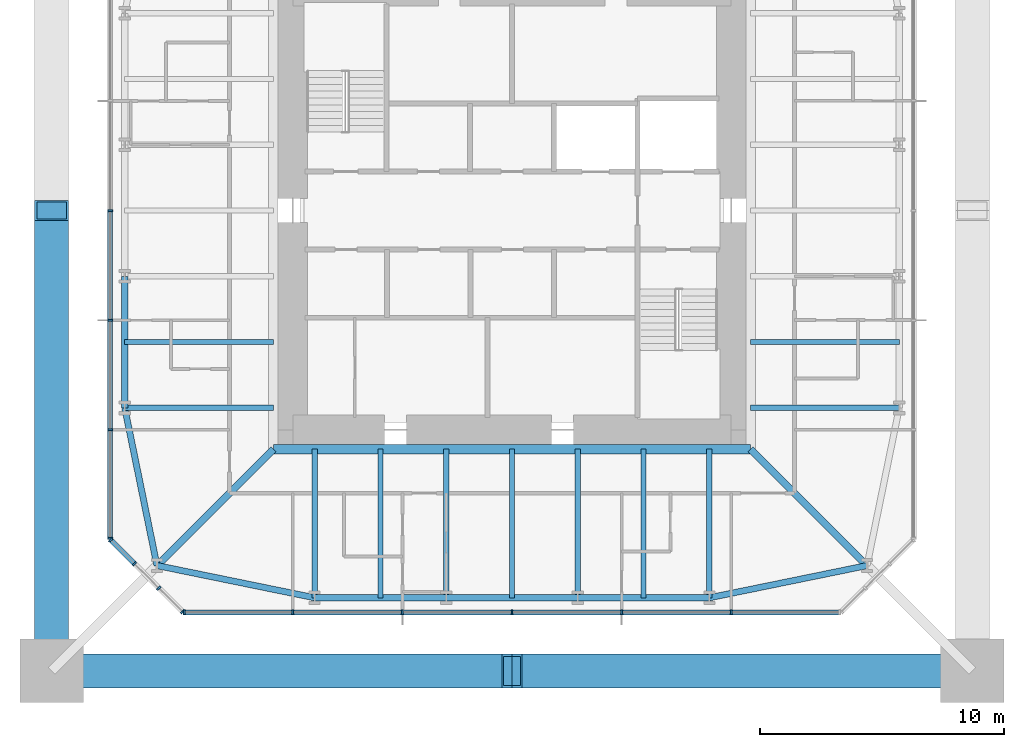
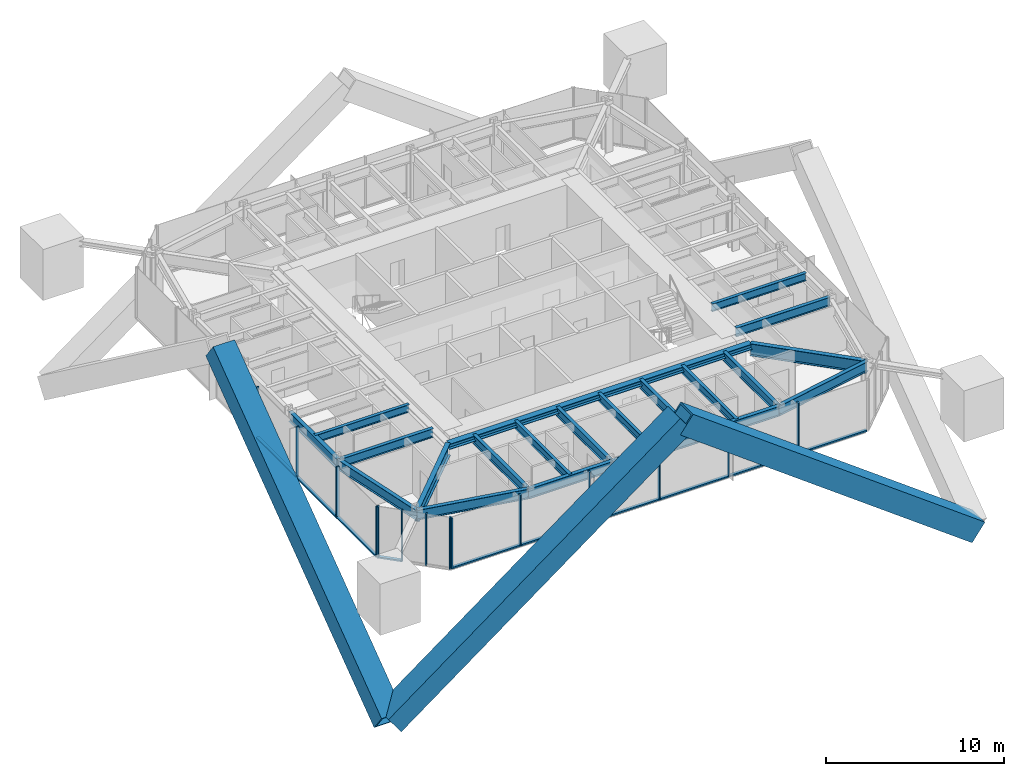
# One storey, part 2 of 10: 27 members, 21 beams, 3 elements without a shape of their own.
"""IFC4 building model written with IfcOpenShell, lengths in metres."""

from ifc_helpers import new_model, si_unit, direction, frame, origin, origin_2d, place, context, subcontext, project, spatial, rectangle, hollow_rectangle, i_section, extrude, material, material_profile, profile_set, type_object, element, aggregate, save


model = new_model("IFC4")

# Units and contexts
model_context = context("Model", 3, precision=1e-05, world=origin(), true_north=direction((0.0, 1.0)))
body_context = subcontext(model_context, "Body", "Model", "MODEL_VIEW")
ifc_project = project(units=[si_unit("LENGTHUNIT", "METRE"), si_unit("AREAUNIT", "SQUARE_METRE"), si_unit("VOLUMEUNIT", "CUBIC_METRE"), si_unit("PLANEANGLEUNIT", "RADIAN"), si_unit("MASSUNIT", "GRAM", prefix="KILO")], contexts=[model_context])

# Site, building, storey
site_placement = place(None, origin())
site = spatial("IfcSite", under=ifc_project, at=site_placement, CompositionType="ELEMENT")
building_placement = place(site_placement, origin())
building = spatial("IfcBuilding", under=site, at=building_placement, Name="Iwan Alto Co-Living Towers", CompositionType="ELEMENT")
storey_placement = place(building_placement, frame((0.0, 0.0, 246.5)))
storey = spatial("IfcBuildingStorey", under=building, at=storey_placement, Name="L67", CompositionType="ELEMENT", Elevation=246.5)

# Curtain wall, members
ifc_material_1 = material(Name="Bronze aluminium unitised frame", Category="aluminium")
curtain_wall_type_1 = type_object("IfcCurtainWallType", Name="CURTAIN WALL CW-A", PredefinedType="NOTDEFINED", material=ifc_material_1)
curtain_wall_1_placement = place(storey_placement, origin())
curtain_wall_1 = element("IfcCurtainWall", 1, at=curtain_wall_1_placement, inside=storey, type_object=curtain_wall_type_1, Name="T1 curtain wall S L67", PredefinedType="NOTDEFINED")
ifc_material_2 = material(Name="Aluminium 6063-T6 bronze anodised", Category="aluminium")
ifc_material_profile_1 = material_profile(ifc_material_2, rectangle(XDim=0.199951171875, YDim=0.080078125, at=origin_2d()), Name="AL 80X200")
ifc_profile_set_1 = profile_set([ifc_material_profile_1], Name="Aluminium 6063-T6 bronze anodised")
member_type_1 = type_object("IfcMemberType", Name="CW-A MULLION 80X200", PredefinedType="MULLION", material=ifc_profile_set_1)
member_1_placement = place(storey_placement, frame((-13.4599609375, -16.5, 0.0), z_axis=(0.0, 0.0, 1.0), x_axis=(0.0, 1.0, 0.0)))
member_1 = element("IfcMember", 2, at=member_1_placement, type_object=member_type_1, Name="CW-A mullion 1", PredefinedType="MULLION", context=body_context, shape_type="SweptSolid", body=[
    extrude(rectangle(XDim=0.199951171875, YDim=0.080078125, at=origin_2d()), origin(), (0.0, 0.0, 1.0), 3.5),
])
member_2_placement = place(storey_placement, frame((-9.0, -16.5, 0.0), z_axis=(0.0, 0.0, 1.0), x_axis=(0.0, 1.0, 0.0)))
member_2 = element("IfcMember", 3, at=member_2_placement, type_object=member_type_1, Name="CW-A mullion 2", PredefinedType="MULLION", context=body_context, shape_type="SweptSolid", body=[
    extrude(rectangle(XDim=0.199951171875, YDim=0.080078125, at=origin_2d()), origin(), (0.0, 0.0, 1.0), 3.5),
])
member_3_placement = place(storey_placement, frame((-4.5, -16.5, 0.0), z_axis=(0.0, 0.0, 1.0), x_axis=(0.0, 1.0, 0.0)))
member_3 = element("IfcMember", 4, at=member_3_placement, type_object=member_type_1, Name="CW-A mullion 3", PredefinedType="MULLION", context=body_context, shape_type="SweptSolid", body=[
    extrude(rectangle(XDim=0.199951171875, YDim=0.080078125, at=origin_2d()), origin(), (0.0, 0.0, 1.0), 3.5),
])
member_4_placement = place(storey_placement, frame((0.0, -16.5, 0.0), z_axis=(0.0, 0.0, 1.0), x_axis=(0.0, 1.0, 0.0)))
member_4 = element("IfcMember", 5, at=member_4_placement, type_object=member_type_1, Name="CW-A mullion 4", PredefinedType="MULLION", context=body_context, shape_type="SweptSolid", body=[
    extrude(rectangle(XDim=0.199951171875, YDim=0.080078125, at=origin_2d()), origin(), (0.0, 0.0, 1.0), 3.5),
])
member_5_placement = place(storey_placement, frame((4.5, -16.5, 0.0), z_axis=(0.0, 0.0, 1.0), x_axis=(0.0, 1.0, 0.0)))
member_5 = element("IfcMember", 6, at=member_5_placement, type_object=member_type_1, Name="CW-A mullion 5", PredefinedType="MULLION", context=body_context, shape_type="SweptSolid", body=[
    extrude(rectangle(XDim=0.199951171875, YDim=0.080078125, at=origin_2d()), origin(), (0.0, 0.0, 1.0), 3.5),
])
member_6_placement = place(storey_placement, frame((9.0, -16.5, 0.0), z_axis=(0.0, 0.0, 1.0), x_axis=(0.0, 1.0, 0.0)))
member_6 = element("IfcMember", 7, at=member_6_placement, type_object=member_type_1, Name="CW-A mullion 6", PredefinedType="MULLION", context=body_context, shape_type="SweptSolid", body=[
    extrude(rectangle(XDim=0.199951171875, YDim=0.080078125, at=origin_2d()), origin(), (0.0, 0.0, 1.0), 3.5),
])

curtain_wall_2_placement = place(storey_placement, origin())
curtain_wall_2 = element("IfcCurtainWall", 8, at=curtain_wall_2_placement, inside=storey, type_object=curtain_wall_type_1, Name="T1 curtain wall W L67", PredefinedType="NOTDEFINED")
member_7_placement = place(storey_placement, frame((-16.5, 0.0, 0.0), z_axis=(0.0, 0.0, 1.0), x_axis=(1.0, 0.0, 0.0)))
member_7 = element("IfcMember", 9, at=member_7_placement, type_object=member_type_1, Name="CW-A mullion 4", PredefinedType="MULLION", context=body_context, shape_type="SweptSolid", body=[
    extrude(rectangle(XDim=0.199951171875, YDim=0.080078125, at=origin_2d()), origin(), (0.0, 0.0, 1.0), 3.5),
])
member_8_placement = place(storey_placement, frame((-16.5, -4.5, 0.0), z_axis=(0.0, 0.0, 1.0), x_axis=(1.0, 0.0, 0.0)))
member_8 = element("IfcMember", 10, at=member_8_placement, type_object=member_type_1, Name="CW-A mullion 5", PredefinedType="MULLION", context=body_context, shape_type="SweptSolid", body=[
    extrude(rectangle(XDim=0.199951171875, YDim=0.080078125, at=origin_2d()), origin(), (0.0, 0.0, 1.0), 3.5),
])
member_9_placement = place(storey_placement, frame((-16.5, -9.0, 0.0), z_axis=(0.0, 0.0, 1.0), x_axis=(1.0, 0.0, 0.0)))
member_9 = element("IfcMember", 11, at=member_9_placement, type_object=member_type_1, Name="CW-A mullion 6", PredefinedType="MULLION", context=body_context, shape_type="SweptSolid", body=[
    extrude(rectangle(XDim=0.199951171875, YDim=0.080078125, at=origin_2d()), origin(), (0.0, 0.0, 1.0), 3.5),
])
member_10_placement = place(storey_placement, frame((-16.5, -13.4599609375, 0.0), z_axis=(0.0, 0.0, 1.0), x_axis=(1.0, 0.0, 0.0)))
member_10 = element("IfcMember", 12, at=member_10_placement, type_object=member_type_1, Name="CW-A mullion 7", PredefinedType="MULLION", context=body_context, shape_type="SweptSolid", body=[
    extrude(rectangle(XDim=0.199951171875, YDim=0.080078125, at=origin_2d()), origin(), (0.0, 0.0, 1.0), 3.5),
])

# Member
ifc_material_3 = material(Name="Aluminium 6063-T6 bronze anodised", Category="aluminium")
ifc_material_profile_2 = material_profile(ifc_material_3, rectangle(XDim=0.199951171875, YDim=0.10009765625, at=origin_2d()), Name="AL 200X100")
ifc_profile_set_2 = profile_set([ifc_material_profile_2], Name="Aluminium 6063-T6 bronze anodised")
member_type_2 = type_object("IfcMemberType", Name="CW-A TRANSOM 200X100", PredefinedType="USERDEFINED", material=ifc_profile_set_2)
member_11_placement = place(storey_placement, frame((-13.419921875, -16.5, 0.050048828125), z_axis=(1.0, 0.0, 0.0), x_axis=(0.0, 1.0, 0.0)))
member_11 = element("IfcMember", 13, at=member_11_placement, type_object=member_type_2, Name="CW-A transom 1.1", ObjectType="TRANSOM", PredefinedType="USERDEFINED", context=body_context, shape_type="SweptSolid", body=[
    extrude(rectangle(XDim=0.199951171875, YDim=0.10009765625, at=origin_2d()), origin(), (0.0, 0.0, 1.0), 4.3798828125),
])

member_12_placement = place(storey_placement, frame((-8.9599609375, -16.5, 0.050048828125), z_axis=(1.0, 0.0, 0.0), x_axis=(0.0, 1.0, 0.0)))
member_12 = element("IfcMember", 14, at=member_12_placement, type_object=member_type_2, Name="CW-A transom 2.1", ObjectType="TRANSOM", PredefinedType="USERDEFINED", context=body_context, shape_type="SweptSolid", body=[
    extrude(rectangle(XDim=0.199951171875, YDim=0.10009765625, at=origin_2d()), origin(), (0.0, 0.0, 1.0), 4.419921875),
])

member_13_placement = place(storey_placement, frame((-4.4599609375, -16.5, 0.050048828125), z_axis=(1.0, 0.0, 0.0), x_axis=(0.0, 1.0, 0.0)))
member_13 = element("IfcMember", 15, at=member_13_placement, type_object=member_type_2, Name="CW-A transom 3.1", ObjectType="TRANSOM", PredefinedType="USERDEFINED", context=body_context, shape_type="SweptSolid", body=[
    extrude(rectangle(XDim=0.199951171875, YDim=0.10009765625, at=origin_2d()), origin(), (0.0, 0.0, 1.0), 4.419921875),
])

member_14_placement = place(storey_placement, frame((0.0400390625, -16.5, 0.050048828125), z_axis=(1.0, 0.0, 0.0), x_axis=(0.0, 1.0, 0.0)))
member_14 = element("IfcMember", 16, at=member_14_placement, type_object=member_type_2, Name="CW-A transom 4.1", ObjectType="TRANSOM", PredefinedType="USERDEFINED", context=body_context, shape_type="SweptSolid", body=[
    extrude(rectangle(XDim=0.199951171875, YDim=0.10009765625, at=origin_2d()), origin(), (0.0, 0.0, 1.0), 4.419921875),
])

member_15_placement = place(storey_placement, frame((4.5400390625, -16.5, 0.050048828125), z_axis=(1.0, 0.0, 0.0), x_axis=(0.0, 1.0, 0.0)))
member_15 = element("IfcMember", 17, at=member_15_placement, type_object=member_type_2, Name="CW-A transom 5.1", ObjectType="TRANSOM", PredefinedType="USERDEFINED", context=body_context, shape_type="SweptSolid", body=[
    extrude(rectangle(XDim=0.199951171875, YDim=0.10009765625, at=origin_2d()), origin(), (0.0, 0.0, 1.0), 4.419921875),
])

member_16_placement = place(storey_placement, frame((9.0400390625, -16.5, 0.050048828125), z_axis=(1.0, 0.0, 0.0), x_axis=(0.0, 1.0, 0.0)))
member_16 = element("IfcMember", 18, at=member_16_placement, type_object=member_type_2, Name="CW-A transom 6.1", ObjectType="TRANSOM", PredefinedType="USERDEFINED", context=body_context, shape_type="SweptSolid", body=[
    extrude(rectangle(XDim=0.199951171875, YDim=0.10009765625, at=origin_2d()), origin(), (0.0, 0.0, 1.0), 4.3798828125),
])

aggregate(curtain_wall_1, [member_1, member_2, member_3, member_4, member_5, member_6, member_11, member_12, member_13, member_14, member_15, member_16])

member_17_placement = place(storey_placement, frame((-16.5, -0.0400390625, 0.050048828125), z_axis=(0.0, -1.0, 0.0), x_axis=(1.0, 0.0, 0.0)))
member_17 = element("IfcMember", 19, at=member_17_placement, type_object=member_type_2, Name="CW-A transom 4.1", ObjectType="TRANSOM", PredefinedType="USERDEFINED", context=body_context, shape_type="SweptSolid", body=[
    extrude(rectangle(XDim=0.199951171875, YDim=0.10009765625, at=origin_2d()), origin(), (0.0, 0.0, 1.0), 4.419921875),
])

member_18_placement = place(storey_placement, frame((-16.5, -4.5400390625, 0.050048828125), z_axis=(0.0, -1.0, 0.0), x_axis=(1.0, 0.0, 0.0)))
member_18 = element("IfcMember", 20, at=member_18_placement, type_object=member_type_2, Name="CW-A transom 5.1", ObjectType="TRANSOM", PredefinedType="USERDEFINED", context=body_context, shape_type="SweptSolid", body=[
    extrude(rectangle(XDim=0.199951171875, YDim=0.10009765625, at=origin_2d()), origin(), (0.0, 0.0, 1.0), 4.419921875),
])

member_19_placement = place(storey_placement, frame((-16.5, -9.0400390625, 0.050048828125), z_axis=(0.0, -1.0, 0.0), x_axis=(1.0, 0.0, 0.0)))
member_19 = element("IfcMember", 21, at=member_19_placement, type_object=member_type_2, Name="CW-A transom 6.1", ObjectType="TRANSOM", PredefinedType="USERDEFINED", context=body_context, shape_type="SweptSolid", body=[
    extrude(rectangle(XDim=0.199951171875, YDim=0.10009765625, at=origin_2d()), origin(), (0.0, 0.0, 1.0), 4.3798828125),
])

aggregate(curtain_wall_2, [member_7, member_8, member_9, member_10, member_17, member_18, member_19])

# Curtain wall, members
ifc_material_4 = material(Name="Bronze aluminium unitised frame", Category="aluminium")
curtain_wall_type_2 = type_object("IfcCurtainWallType", Name="CURTAIN WALL CW-B", PredefinedType="NOTDEFINED", material=ifc_material_4)
curtain_wall_3_placement = place(storey_placement, origin())
curtain_wall_3 = element("IfcCurtainWall", 22, at=curtain_wall_3_placement, inside=storey, type_object=curtain_wall_type_2, Name="T1 chamfer curtain wall SW L67", PredefinedType="NOTDEFINED")
ifc_material_5 = material(Name="Aluminium 6063-T6 bronze anodised", Category="aluminium")
ifc_material_profile_3 = material_profile(ifc_material_5, rectangle(XDim=0.199951171875, YDim=0.080078125, at=origin_2d()), Name="AL 80X200")
ifc_profile_set_3 = profile_set([ifc_material_profile_3], Name="Aluminium 6063-T6 bronze anodised")
member_type_3 = type_object("IfcMemberType", Name="CW-B MULLION 80X200", PredefinedType="MULLION", material=ifc_profile_set_3)
member_20_placement = place(storey_placement, frame((-16.4716796875, -13.5283203125, 0.0), z_axis=(0.0, 0.0, 1.0), x_axis=(0.707106781187, 0.707106781187, 0.0)))
member_20 = element("IfcMember", 23, at=member_20_placement, type_object=member_type_3, Name="CW-B mullion 1", PredefinedType="MULLION", context=body_context, shape_type="SweptSolid", body=[
    extrude(rectangle(XDim=0.199951171875, YDim=0.080078125, at=origin_2d()), origin(), (0.0, 0.0, 1.0), 3.5),
])
member_21_placement = place(storey_placement, frame((-15.5, -14.5, 0.0), z_axis=(0.0, 0.0, 1.0), x_axis=(0.707106781187, 0.707106781187, 0.0)))
member_21 = element("IfcMember", 24, at=member_21_placement, type_object=member_type_3, Name="CW-B mullion 2", PredefinedType="MULLION", context=body_context, shape_type="SweptSolid", body=[
    extrude(rectangle(XDim=0.199951171875, YDim=0.080078125, at=origin_2d()), origin(), (0.0, 0.0, 1.0), 3.5),
])
member_22_placement = place(storey_placement, frame((-14.5, -15.5, 0.0), z_axis=(0.0, 0.0, 1.0), x_axis=(0.707106781187, 0.707106781187, 0.0)))
member_22 = element("IfcMember", 25, at=member_22_placement, type_object=member_type_3, Name="CW-B mullion 3", PredefinedType="MULLION", context=body_context, shape_type="SweptSolid", body=[
    extrude(rectangle(XDim=0.199951171875, YDim=0.080078125, at=origin_2d()), origin(), (0.0, 0.0, 1.0), 3.5),
])
member_23_placement = place(storey_placement, frame((-13.5283203125, -16.4716796875, 0.0), z_axis=(0.0, 0.0, 1.0), x_axis=(0.707106781187, 0.707106781187, 0.0)))
member_23 = element("IfcMember", 26, at=member_23_placement, type_object=member_type_3, Name="CW-B mullion 4", PredefinedType="MULLION", context=body_context, shape_type="SweptSolid", body=[
    extrude(rectangle(XDim=0.199951171875, YDim=0.080078125, at=origin_2d()), origin(), (0.0, 0.0, 1.0), 3.5),
])
ifc_material_6 = material(Name="Aluminium 6063-T6 bronze anodised", Category="aluminium")
ifc_material_profile_4 = material_profile(ifc_material_6, rectangle(XDim=0.199951171875, YDim=0.10009765625, at=origin_2d()), Name="AL 200X100")
ifc_profile_set_4 = profile_set([ifc_material_profile_4], Name="Aluminium 6063-T6 bronze anodised")
member_type_4 = type_object("IfcMemberType", Name="CW-B TRANSOM 200X100", PredefinedType="USERDEFINED", material=ifc_profile_set_4)
member_24_placement = place(storey_placement, frame((-16.443359375, -13.556640625, 0.050048828125), z_axis=(0.707106781187, -0.707106781187, 0.0), x_axis=(0.707106781187, 0.707106781187, 0.0)))
member_24 = element("IfcMember", 27, at=member_24_placement, type_object=member_type_4, Name="CW-B transom 1.1", ObjectType="TRANSOM", PredefinedType="USERDEFINED", context=body_context, shape_type="SweptSolid", body=[
    extrude(rectangle(XDim=0.199951171875, YDim=0.10009765625, at=origin_2d()), origin(), (0.0, 0.0, 1.0), 1.2939453125),
])
aggregate(curtain_wall_3, [member_20, member_21, member_22, member_23, member_24])

# Beams
ifc_material_7 = material(Name="Steel ASTM A992 Gr 50", Category="steel")
ifc_material_profile_5 = material_profile(ifc_material_7, i_section(OverallWidth=0.398681640625, OverallDepth=0.385986328125, WebThickness=0.02099609375, FlangeThickness=0.033203125, at=origin_2d()), Name="W14X176")
ifc_profile_set_5 = profile_set([ifc_material_profile_5], Name="Steel ASTM A992 Gr 50")
beam_type_1 = type_object("IfcBeamType", Name="T1 CORE LEDGER BEAM W14X176", PredefinedType="BEAM", material=ifc_profile_set_5)
beam_1_placement = place(storey_placement, frame((-9.79931640625, -9.79931640625, 3.076904296875), z_axis=(1.0, 0.0, 0.0), x_axis=(0.0, 1.0, 0.0)))
element("IfcBeam", 28, at=beam_1_placement, inside=storey, type_object=beam_type_1, Name="T1 core ledger beam S L68", PredefinedType="BEAM", context=body_context, shape_type="SweptSolid", body=[
    extrude(i_section(OverallWidth=0.398681640625, OverallDepth=0.385986328125, WebThickness=0.02099609375, FlangeThickness=0.033203125, at=origin_2d()), origin(), (0.0, 0.0, 1.0), 19.5986328125),
])
ifc_material_8 = material(Name="Steel ASTM A992 Gr 50", Category="steel")
ifc_material_profile_6 = material_profile(ifc_material_8, i_section(OverallWidth=0.2919921875, OverallDepth=0.8408203125, WebThickness=0.0146484375, FlangeThickness=0.021728515625, at=origin_2d()), Name="W33X130")
ifc_profile_set_6 = profile_set([ifc_material_profile_6], Name="Steel ASTM A992 Gr 50")
beam_type_2 = type_object("IfcBeamType", Name="T1 CORNER GIRDER W33X130", PredefinedType="BEAM", material=ifc_profile_set_6)
for number, where, z_axis, x_axis, name in (
    (29, (-14.57568359375, -14.57568359375, 2.849609375), (0.707106781187, 0.707106781187, 0.0), (-0.707106781187, 0.707106781187, 0.0), "T1 corner girder CSW L68"),
    (30, (14.57568359375, -14.57568359375, 2.849609375), (-0.707106781187, 0.707106781187, 0.0), (-0.707106781187, -0.707106781187, 0.0), "T1 corner girder CSE L68"),
):
    element("IfcBeam", number, at=place(storey_placement, frame(where, z_axis=z_axis, x_axis=x_axis)), inside=storey, type_object=beam_type_2, Name=name, PredefinedType="BEAM", context=body_context, shape_type="SweptSolid", body=[
        extrude(i_section(OverallWidth=0.2919921875, OverallDepth=0.8408203125, WebThickness=0.0146484375, FlangeThickness=0.021728515625, at=origin_2d()), origin(), (0.0, 0.0, 1.0), 6.7548828125),
    ])
ifc_material_9 = material(Name="Steel ASTM A992 Gr 50", Category="steel")
ifc_material_profile_7 = material_profile(ifc_material_9, i_section(OverallWidth=0.25390625, OverallDepth=0.683349609375, WebThickness=0.012451171875, FlangeThickness=0.018798828125, at=origin_2d()), Name="W27X94")
ifc_profile_set_7 = profile_set([ifc_material_profile_7], Name="Steel ASTM A992 Gr 50")
beam_type_3 = type_object("IfcBeamType", Name="T1 EDGE BEAM W27X94", PredefinedType="BEAM", material=ifc_profile_set_7)
beam_2_placement = place(storey_placement, frame((-14.57568359375, -14.57568359375, 2.928466796875), z_axis=(0.979724820103, -0.200347889618, 0.0), x_axis=(0.200347889618, 0.979724820103, 0.0)))
element("IfcBeam", 31, at=beam_2_placement, inside=storey, type_object=beam_type_3, Name="T1 edge beam CSW L68", PredefinedType="BEAM", context=body_context, shape_type="SweptSolid", body=[
    extrude(i_section(OverallWidth=0.25390625, OverallDepth=0.683349609375, WebThickness=0.012451171875, FlangeThickness=0.018798828125, at=origin_2d()), origin(), (0.0, 0.0, 1.0), 6.609619140625),
])
beam_3_placement = place(storey_placement, frame((-8.10009765625, -15.89990234375, 2.928466796875), z_axis=(1.0, 0.0, 0.0), x_axis=(0.0, 1.0, 0.0)))
element("IfcBeam", 32, at=beam_3_placement, inside=storey, type_object=beam_type_3, Name="T1 edge beam S1 L68", PredefinedType="BEAM", context=body_context, shape_type="SweptSolid", body=[
    extrude(i_section(OverallWidth=0.25390625, OverallDepth=0.683349609375, WebThickness=0.012451171875, FlangeThickness=0.018798828125, at=origin_2d()), origin(), (0.0, 0.0, 1.0), 5.400146484375),
])
beam_4_placement = place(storey_placement, frame((-2.699951171875, -15.89990234375, 2.928466796875), z_axis=(1.0, 0.0, 0.0), x_axis=(0.0, 1.0, 0.0)))
element("IfcBeam", 33, at=beam_4_placement, inside=storey, type_object=beam_type_3, Name="T1 edge beam S2 L68", PredefinedType="BEAM", context=body_context, shape_type="SweptSolid", body=[
    extrude(i_section(OverallWidth=0.25390625, OverallDepth=0.683349609375, WebThickness=0.012451171875, FlangeThickness=0.018798828125, at=origin_2d()), origin(), (0.0, 0.0, 1.0), 5.39990234375),
])
beam_5_placement = place(storey_placement, frame((2.699951171875, -15.89990234375, 2.928466796875), z_axis=(1.0, 0.0, 0.0), x_axis=(0.0, 1.0, 0.0)))
element("IfcBeam", 34, at=beam_5_placement, inside=storey, type_object=beam_type_3, Name="T1 edge beam S3 L68", PredefinedType="BEAM", context=body_context, shape_type="SweptSolid", body=[
    extrude(i_section(OverallWidth=0.25390625, OverallDepth=0.683349609375, WebThickness=0.012451171875, FlangeThickness=0.018798828125, at=origin_2d()), origin(), (0.0, 0.0, 1.0), 5.400146484375),
])
beam_6_placement = place(storey_placement, frame((8.10009765625, -15.89990234375, 2.928466796875), z_axis=(0.979724820103, 0.200347889618, 0.0), x_axis=(-0.200347889618, 0.979724820103, 0.0)))
element("IfcBeam", 35, at=beam_6_placement, inside=storey, type_object=beam_type_3, Name="T1 edge beam S4 L68", PredefinedType="BEAM", context=body_context, shape_type="SweptSolid", body=[
    extrude(i_section(OverallWidth=0.25390625, OverallDepth=0.683349609375, WebThickness=0.012451171875, FlangeThickness=0.018798828125, at=origin_2d()), origin(), (0.0, 0.0, 1.0), 6.609619140625),
])
beam_7_placement = place(storey_placement, frame((-15.89990234375, -2.699951171875, 2.928466796875), z_axis=(0.0, -1.0, 0.0), x_axis=(1.0, 0.0, 0.0)))
element("IfcBeam", 36, at=beam_7_placement, inside=storey, type_object=beam_type_3, Name="T1 edge beam W3 L68", PredefinedType="BEAM", context=body_context, shape_type="SweptSolid", body=[
    extrude(i_section(OverallWidth=0.25390625, OverallDepth=0.683349609375, WebThickness=0.012451171875, FlangeThickness=0.018798828125, at=origin_2d()), origin(), (0.0, 0.0, 1.0), 5.400146484375),
])
beam_8_placement = place(storey_placement, frame((-15.89990234375, -8.10009765625, 2.928466796875), z_axis=(0.200347889618, -0.979724820103, 0.0), x_axis=(0.979724820103, 0.200347889618, 0.0)))
element("IfcBeam", 37, at=beam_8_placement, inside=storey, type_object=beam_type_3, Name="T1 edge beam W4 L68", PredefinedType="BEAM", context=body_context, shape_type="SweptSolid", body=[
    extrude(i_section(OverallWidth=0.25390625, OverallDepth=0.683349609375, WebThickness=0.012451171875, FlangeThickness=0.018798828125, at=origin_2d()), origin(), (0.0, 0.0, 1.0), 6.609619140625),
])

# Members
ifc_material_10 = material(Name="Steel ASTM A572 Gr 50", Category="steel")
ifc_material_profile_8 = material_profile(ifc_material_10, hollow_rectangle(XDim=1.39990234375, YDim=1.39990234375, WallThickness=0.10009765625, at=origin_2d()), Name="BOX 1400X1400X100")
ifc_profile_set_8 = profile_set([ifc_material_profile_8], Name="Steel ASTM A572 Gr 50")
member_type_5 = type_object("IfcMemberType", Name="T1 MEGA BRACE BOX 1400X1400X100", PredefinedType="BRACE", material=ifc_profile_set_8)
for number, where, z_axis, x_axis, name in (
    (38, (-18.89990234375, -18.89990234375, -7.0), (0.803555722309, 0.0, 0.595229536519), (0.0, 1.0, 0.0), "T1 mega brace Z4B S 1 lower"),
    (39, (18.89990234375, -18.89990234375, -7.0), (-0.803555722309, 0.0, 0.595229536519), (0.0, -1.0, 0.0), "T1 mega brace Z4B S 2 lower"),
    (40, (-18.89990234375, -18.89990234375, -7.0), (0.0, 0.803555722309, 0.595229536519), (-1.0, 0.0, 0.0), "T1 mega brace Z4B W 2 lower"),
):
    element("IfcMember", number, at=place(storey_placement, frame(where, z_axis=z_axis, x_axis=x_axis)), inside=storey, type_object=member_type_5, Name=name, PredefinedType="BRACE", context=body_context, shape_type="SweptSolid", body=[
        extrude(hollow_rectangle(XDim=1.39990234375, YDim=1.39990234375, WallThickness=0.10009765625, at=origin_2d()), origin(), (0.0, 0.0, 1.0), 23.520263671875),
    ])

# Beams
ifc_material_11 = material(Name="Steel ASTM A992 Gr 50", Category="steel")
ifc_material_profile_9 = material_profile(ifc_material_11, i_section(OverallWidth=0.228271484375, OverallDepth=0.607177734375, WebThickness=0.01123046875, FlangeThickness=0.017333984375, at=origin_2d()), Name="W24X76")
ifc_profile_set_9 = profile_set([ifc_material_profile_9], Name="Steel ASTM A992 Gr 50")
beam_type_4 = type_object("IfcBeamType", Name="T1 RADIAL BEAM W24X76", PredefinedType="BEAM", material=ifc_profile_set_9)
for number, where, z_axis, x_axis, name in (
    (41, (-8.10009765625, -15.89990234375, 2.966552734375), (0.0, 1.0, 0.0), (-1.0, 0.0, 0.0), "T1 radial beam S1 L68"),
    (42, (-2.699951171875, -15.89990234375, 2.966552734375), (0.0, 1.0, 0.0), (-1.0, 0.0, 0.0), "T1 radial beam S2 L68"),
    (43, (2.699951171875, -15.89990234375, 2.966552734375), (0.0, 1.0, 0.0), (-1.0, 0.0, 0.0), "T1 radial beam S3 L68"),
    (44, (8.10009765625, -15.89990234375, 2.966552734375), (0.0, 1.0, 0.0), (-1.0, 0.0, 0.0), "T1 radial beam S4 L68"),
    (45, (15.89990234375, -8.10009765625, 2.966552734375), (-1.0, 0.0, 0.0), (0.0, -1.0, 0.0), "T1 radial beam E1 L68"),
    (46, (-15.89990234375, -8.10009765625, 2.966552734375), (1.0, 0.0, 0.0), (0.0, 1.0, 0.0), "T1 radial beam W4 L68"),
):
    element("IfcBeam", number, at=place(storey_placement, frame(where, z_axis=z_axis, x_axis=x_axis)), inside=storey, type_object=beam_type_4, Name=name, PredefinedType="BEAM", context=body_context, shape_type="SweptSolid", body=[
        extrude(i_section(OverallWidth=0.228271484375, OverallDepth=0.607177734375, WebThickness=0.01123046875, FlangeThickness=0.017333984375, at=origin_2d()), origin(), (0.0, 0.0, 1.0), 6.1005859375),
    ])
ifc_material_12 = material(Name="Steel ASTM A992 Gr 50", Category="steel")
ifc_material_profile_10 = material_profile(ifc_material_12, i_section(OverallWidth=0.209228515625, OverallDepth=0.533447265625, WebThickness=0.01025390625, FlangeThickness=0.015625, at=origin_2d()), Name="W21X62")
ifc_profile_set_10 = profile_set([ifc_material_profile_10], Name="Steel ASTM A992 Gr 50")
beam_type_5 = type_object("IfcBeamType", Name="T1 SECONDARY BEAM W21X62", PredefinedType="JOIST", material=ifc_profile_set_10)
for number, where, z_axis, x_axis, name in (
    (47, (-5.39990234375, -15.89990234375, 3.00341796875), (0.0, 1.0, 0.0), (-1.0, 0.0, 0.0), "T1 secondary beam S1 L68"),
    (48, (0.0, -15.89990234375, 3.00341796875), (0.0, 1.0, 0.0), (-1.0, 0.0, 0.0), "T1 secondary beam S2 L68"),
    (49, (5.39990234375, -15.89990234375, 3.00341796875), (0.0, 1.0, 0.0), (-1.0, 0.0, 0.0), "T1 secondary beam S3 L68"),
    (50, (15.89990234375, -5.39990234375, 3.00341796875), (-1.0, 0.0, 0.0), (0.0, -1.0, 0.0), "T1 secondary beam E1 L68"),
    (51, (-15.89990234375, -5.39990234375, 3.00341796875), (1.0, 0.0, 0.0), (0.0, 1.0, 0.0), "T1 secondary beam W3 L68"),
):
    element("IfcBeam", number, at=place(storey_placement, frame(where, z_axis=z_axis, x_axis=x_axis)), inside=storey, type_object=beam_type_5, Name=name, PredefinedType="JOIST", context=body_context, shape_type="SweptSolid", body=[
        extrude(i_section(OverallWidth=0.209228515625, OverallDepth=0.533447265625, WebThickness=0.01025390625, FlangeThickness=0.015625, at=origin_2d()), origin(), (0.0, 0.0, 1.0), 6.1005859375),
    ])

save(model, "model.ifc")
